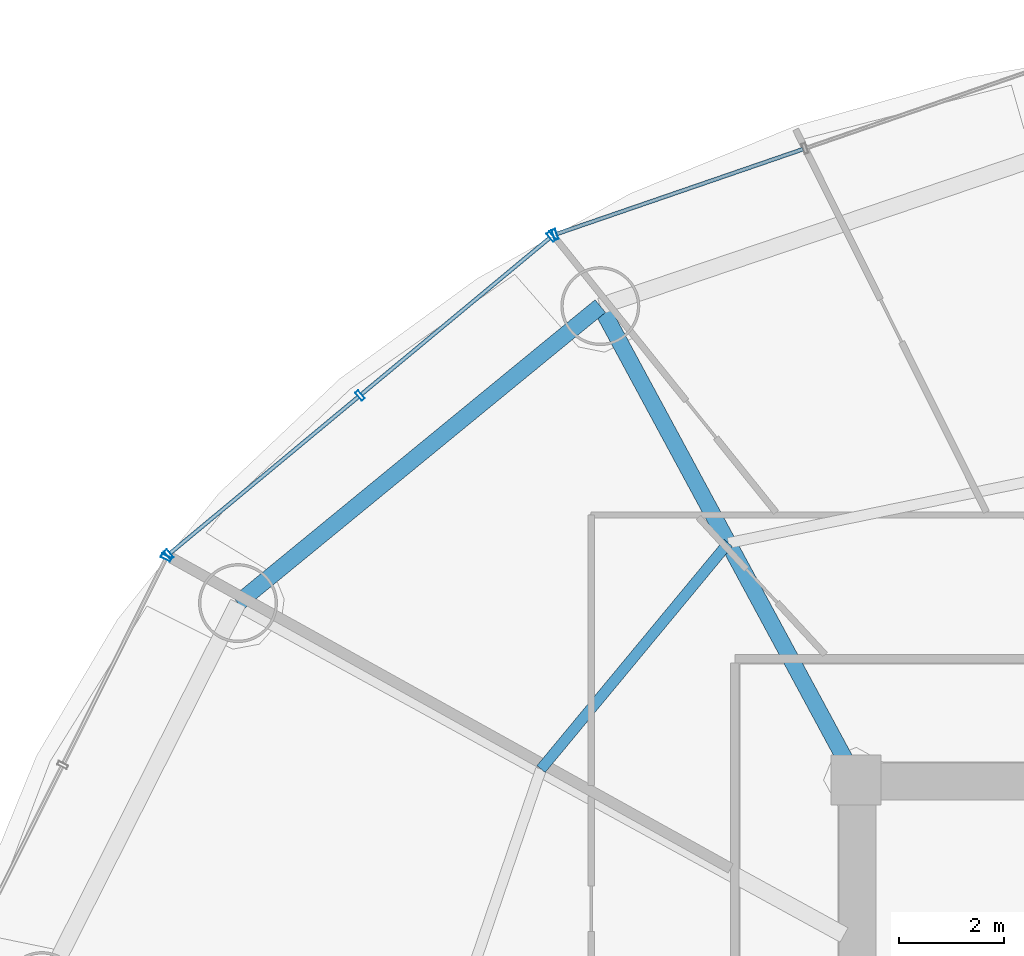
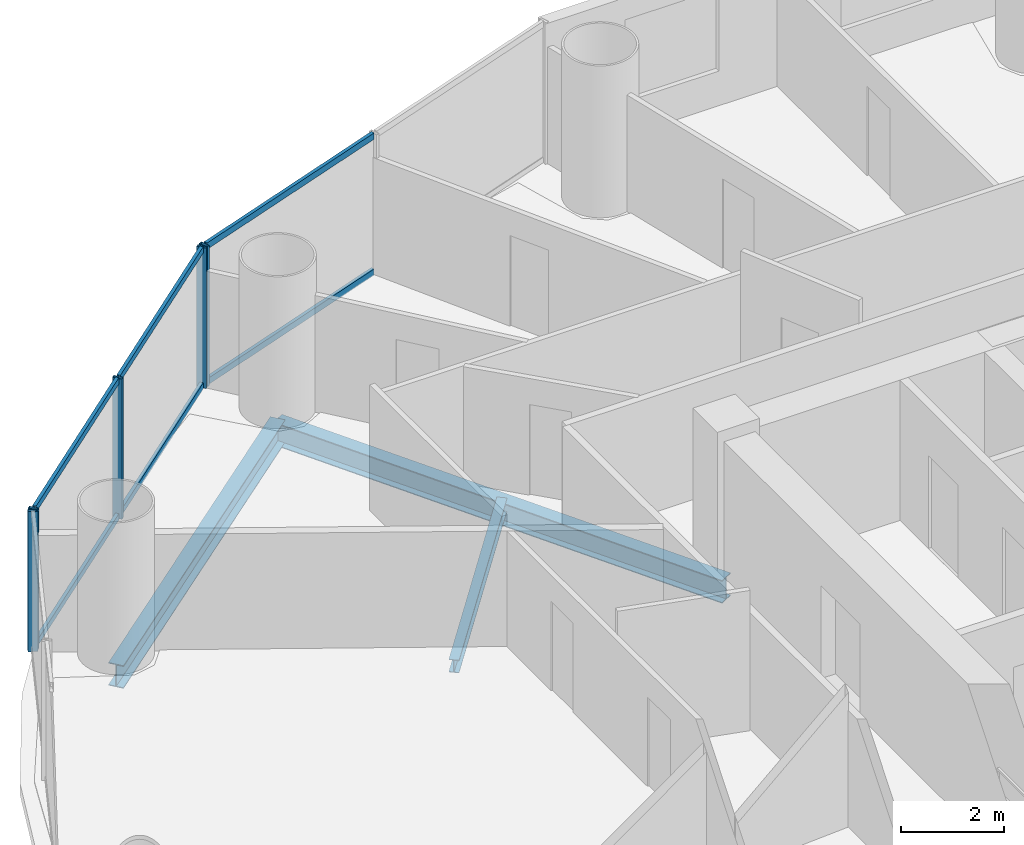
# One storey, part 16 of 29: 11 members, 3 beams, 3 elements without a shape of their own.
"""IFC4 building model written with IfcOpenShell, lengths in metres."""

from ifc_helpers import new_model, si_unit, direction, frame, origin, origin_2d, place, context, subcontext, project, spatial, hollow_rectangle, i_section, extrude, source, transform, mapped, material, material_profile, profile_set, type_object, element, aggregate, save


model = new_model("IFC4")

# Units and contexts
model_context = context("Model", 3, precision=1e-05, world=origin(), true_north=direction((-0.2419218956, 0.970295726276)))
body_context = subcontext(model_context, "Body", "Model", "MODEL_VIEW")
ifc_project = project(units=[si_unit("LENGTHUNIT", "METRE"), si_unit("AREAUNIT", "SQUARE_METRE"), si_unit("VOLUMEUNIT", "CUBIC_METRE"), si_unit("PLANEANGLEUNIT", "RADIAN"), si_unit("MASSUNIT", "GRAM", prefix="KILO")], contexts=[model_context])

# Site, building, storey
site_placement = place(None, origin())
site = spatial("IfcSite", under=ifc_project, at=site_placement, CompositionType="ELEMENT")
building_placement = place(site_placement, origin())
building = spatial("IfcBuilding", under=site, at=building_placement, Name="Cobrevalo Terracotta Tower", CompositionType="ELEMENT")
storey_placement = place(building_placement, frame((0.0, 0.0, 97.800048828125)))
storey = spatial("IfcBuildingStorey", under=building, at=storey_placement, Name="L25", CompositionType="ELEMENT", Elevation=97.800048828125)

# Beams
ifc_material_1 = material(Name="Steel S355", Category="steel")
ifc_material_profile_1 = material_profile(ifc_material_1, i_section(OverallWidth=0.31201171875, OverallDepth=0.54296875, WebThickness=0.0126953125, FlangeThickness=0.020263671875, at=origin_2d()), Name="W 530x150")
ifc_profile_set_1 = profile_set([ifc_material_profile_1], Name="Steel S355")
beam_type_1 = type_object("IfcBeamType", Name="Structural Beam W 530x150 (Steel S355)", PredefinedType="BEAM", material=ifc_profile_set_1)
beam_1_placement = place(storey_placement, frame((24.138427734375, 43.803466796875, -0.546630859375), z_axis=(0.475128224431, -0.879916570107, 0.0), x_axis=(0.879916570107, 0.475128224431, 0.0)))
element("IfcBeam", 1, at=beam_1_placement, inside=storey, type_object=beam_type_1, Name="L25 radial floor girder 06", PredefinedType="BEAM", context=body_context, shape_type="SweptSolid", body=[
    extrude(i_section(OverallWidth=0.31201171875, OverallDepth=0.54296875, WebThickness=0.0126953125, FlangeThickness=0.020263671875, at=origin_2d()), origin(), (0.0, 0.0, 1.0), 10.232177734375),
])
ifc_material_profile_2 = material_profile(ifc_material_1, i_section(OverallWidth=0.2041015625, OverallDepth=0.305908203125, WebThickness=0.008544921875, FlangeThickness=0.0146484375, at=origin_2d()), Name="W 310x67")
ifc_profile_set_2 = profile_set([ifc_material_profile_2], Name="Steel S355")
beam_type_2 = type_object("IfcBeamType", Name="Structural Joist W 310x67 (Steel S355)", PredefinedType="JOIST", material=ifc_profile_set_2)
beam_2_placement = place(storey_placement, frame((26.5693359375, 39.3017578125, -0.427978515625), z_axis=(-0.6379592588, -0.77007011636, 0.0), x_axis=(0.77007011636, -0.6379592588, 0.0)))
element("IfcBeam", 2, at=beam_2_placement, inside=storey, type_object=beam_type_2, Name="L25 circumferential secondary floor joist 06", PredefinedType="JOIST", context=body_context, shape_type="SweptSolid", body=[
    extrude(i_section(OverallWidth=0.2041015625, OverallDepth=0.305908203125, WebThickness=0.008544921875, FlangeThickness=0.0146484375, at=origin_2d()), origin(), (0.0, 0.0, 1.0), 5.575439453125),
])
ifc_material_profile_3 = material_profile(ifc_material_1, i_section(OverallWidth=0.31201171875, OverallDepth=0.54296875, WebThickness=0.0126953125, FlangeThickness=0.020263671875, at=origin_2d()), Name="W 530x150")
ifc_profile_set_3 = profile_set([ifc_material_profile_3], Name="Steel S355")
beam_type_3 = type_object("IfcBeamType", Name="Structural Spandrel W 530x150 (Steel S355)", PredefinedType="SPANDREL", material=ifc_profile_set_3)
beam_3_placement = place(storey_placement, frame((24.138427734375, 43.803466796875, -0.546630859375), z_axis=(-0.773400923541, -0.633917196064, 0.0), x_axis=(0.633917196064, -0.773400923541, 0.0)))
element("IfcBeam", 3, at=beam_3_placement, inside=storey, type_object=beam_type_3, Name="L25 perimeter ring spandrel 06", PredefinedType="SPANDREL", context=body_context, shape_type="SweptSolid", body=[
    extrude(i_section(OverallWidth=0.31201171875, OverallDepth=0.54296875, WebThickness=0.0126953125, FlangeThickness=0.020263671875, at=origin_2d()), origin(), (0.0, 0.0, 1.0), 8.900390625),
])

# Curtain wall, member
ifc_material_2 = material(Name="Anodized aluminium", Category="aluminium")
curtain_wall_type = type_object("IfcCurtainWallType", Name="Lower-tower unitised acoustic low-E curtain wall CW-U1", PredefinedType="NOTDEFINED", material=ifc_material_2)
curtain_wall_1_placement = place(storey_placement, origin())
curtain_wall_1 = element("IfcCurtainWall", 4, at=curtain_wall_1_placement, inside=storey, type_object=curtain_wall_type, Name="L25 curtain wall CW-L25-S05", PredefinedType="NOTDEFINED")
ifc_material_profile_4 = material_profile(ifc_material_2, hollow_rectangle(XDim=0.074951171875, YDim=0.199951171875, WallThickness=0.0048828125, at=origin_2d()), Name="CWM 75x200")
ifc_profile_set_4 = profile_set([ifc_material_profile_4], Name="Anodized aluminium")
member_type_1 = type_object("IfcMemberType", Name="Lower/mid tower unitised mullion 75x200", PredefinedType="MULLION", material=ifc_profile_set_4)
shared_shape_1 = source(origin(), body_context, "Body", "SweptSolid", [
    extrude(hollow_rectangle(XDim=0.074951171875, YDim=0.199951171875, WallThickness=0.0048828125, at=origin_2d()), origin(), (0.0, 0.0, 1.0), 3.324951171875),
])
member_1_placement = place(storey_placement, frame((23.2763671875, 45.16357421875, 0.0), z_axis=(0.0, 0.0, 1.0), x_axis=(-0.94559809868, -0.325337110968, 0.0)))
member_1 = element("IfcMember", 5, at=member_1_placement, type_object=member_type_1, Name="CW-L25-S05 vertical mullion 03", PredefinedType="MULLION", context=body_context, shape_type="MappedRepresentation", body=[
    mapped(shared_shape_1, transform((0.0, 0.0, 0.0), scale=1.0)),
])

# Curtain wall, members
curtain_wall_2_placement = place(storey_placement, origin())
curtain_wall_2 = element("IfcCurtainWall", 6, at=curtain_wall_2_placement, inside=storey, type_object=curtain_wall_type, Name="L25 curtain wall CW-L25-S06", PredefinedType="NOTDEFINED")
member_2_placement = place(storey_placement, frame((23.207763671875, 45.125, 0.0), z_axis=(0.0, 0.0, 1.0), x_axis=(-0.769243451658, -0.638955798222, 0.0)))
member_2 = element("IfcMember", 7, at=member_2_placement, type_object=member_type_1, Name="CW-L25-S06 vertical mullion 01", PredefinedType="MULLION", context=body_context, shape_type="MappedRepresentation", body=[
    mapped(shared_shape_1, transform((0.0, 0.0, 0.0), scale=1.0)),
])
member_3_placement = place(storey_placement, frame((19.5732421875, 42.10595703125, 0.0), z_axis=(0.0, 0.0, 1.0), x_axis=(-0.769243451658, -0.638955798222, 0.0)))
member_3 = element("IfcMember", 8, at=member_3_placement, type_object=member_type_1, Name="CW-L25-S06 vertical mullion 02", PredefinedType="MULLION", context=body_context, shape_type="MappedRepresentation", body=[
    mapped(shared_shape_1, transform((0.0, 0.0, 0.0), scale=1.0)),
])
member_4_placement = place(storey_placement, frame((15.938720703125, 39.0869140625, 0.0), z_axis=(0.0, 0.0, 1.0), x_axis=(-0.769243451658, -0.638955798222, 0.0)))
member_4 = element("IfcMember", 9, at=member_4_placement, type_object=member_type_1, Name="CW-L25-S06 vertical mullion 03", PredefinedType="MULLION", context=body_context, shape_type="MappedRepresentation", body=[
    mapped(shared_shape_1, transform((0.0, 0.0, 0.0), scale=1.0)),
])

# Curtain wall, member
curtain_wall_3_placement = place(storey_placement, origin())
curtain_wall_3 = element("IfcCurtainWall", 10, at=curtain_wall_3_placement, inside=storey, type_object=curtain_wall_type, Name="L25 curtain wall CW-L25-S07", PredefinedType="NOTDEFINED")
member_5_placement = place(storey_placement, frame((15.889892578125, 39.025634765625, 0.0), z_axis=(0.0, 0.0, 1.0), x_axis=(-0.446260290227, -0.894903208937, 0.0)))
member_5 = element("IfcMember", 11, at=member_5_placement, type_object=member_type_1, Name="CW-L25-S07 vertical mullion 01", PredefinedType="MULLION", context=body_context, shape_type="MappedRepresentation", body=[
    mapped(shared_shape_1, transform((0.0, 0.0, 0.0), scale=1.0)),
])
aggregate(curtain_wall_3, [member_5])

# Member
ifc_material_profile_5 = material_profile(ifc_material_2, hollow_rectangle(XDim=0.074951171875, YDim=0.14990234375, WallThickness=0.00439453125, at=origin_2d()), Name="CWT 75x150")
ifc_profile_set_5 = profile_set([ifc_material_profile_5], Name="Anodized aluminium")
member_type_2 = type_object("IfcMemberType", Name="Tower unitised aluminium transom 75x150", PredefinedType="USERDEFINED", material=ifc_profile_set_5)
shared_shape_2 = source(origin(), body_context, "Body", "SweptSolid", [
    extrude(hollow_rectangle(XDim=0.074951171875, YDim=0.14990234375, WallThickness=0.00439453125, at=origin_2d()), origin(), (0.0, 0.0, 1.0), 4.944580078125),
])
member_6_placement = place(storey_placement, frame((27.98974609375, 46.78515625, 0.050048828125), z_axis=(-0.945597859971, -0.32533780478, 0.0), x_axis=(0.32533780478, -0.945597859971, 0.0)))
member_6 = element("IfcMember", 12, at=member_6_placement, type_object=member_type_2, Name="CW-L25-S05 transom B02-T1", ObjectType="TRANSOM", PredefinedType="USERDEFINED", context=body_context, shape_type="MappedRepresentation", body=[
    mapped(shared_shape_2, transform((0.0, 0.0, 0.0), scale=1.0)),
])

member_7_placement = place(storey_placement, frame((27.98974609375, 46.78515625, 3.27490234375), z_axis=(-0.945597859971, -0.32533780478, 0.0), x_axis=(0.32533780478, -0.945597859971, 0.0)))
member_7 = element("IfcMember", 13, at=member_7_placement, type_object=member_type_2, Name="CW-L25-S05 transom B02-T2", ObjectType="TRANSOM", PredefinedType="USERDEFINED", context=body_context, shape_type="MappedRepresentation", body=[
    mapped(shared_shape_2, transform((0.0, 0.0, 0.0), scale=1.0)),
])

aggregate(curtain_wall_1, [member_1, member_6, member_7])

shared_shape_3 = source(origin(), body_context, "Body", "SweptSolid", [
    extrude(hollow_rectangle(XDim=0.074951171875, YDim=0.14990234375, WallThickness=0.00439453125, at=origin_2d()), origin(), (0.0, 0.0, 1.0), 4.644775390625),
])
member_8_placement = place(storey_placement, frame((23.177001953125, 45.099365234375, 0.050048828125), z_axis=(-0.76924999091, -0.638947925487, 0.0), x_axis=(0.638947925487, -0.76924999091, 0.0)))
member_8 = element("IfcMember", 14, at=member_8_placement, type_object=member_type_2, Name="CW-L25-S06 transom B01-T1", ObjectType="TRANSOM", PredefinedType="USERDEFINED", context=body_context, shape_type="MappedRepresentation", body=[
    mapped(shared_shape_3, transform((0.0, 0.0, 0.0), scale=1.0)),
])

member_9_placement = place(storey_placement, frame((23.177001953125, 45.099365234375, 3.27490234375), z_axis=(-0.76924999091, -0.638947925487, 0.0), x_axis=(0.638947925487, -0.76924999091, 0.0)))
member_9 = element("IfcMember", 15, at=member_9_placement, type_object=member_type_2, Name="CW-L25-S06 transom B01-T2", ObjectType="TRANSOM", PredefinedType="USERDEFINED", context=body_context, shape_type="MappedRepresentation", body=[
    mapped(shared_shape_3, transform((0.0, 0.0, 0.0), scale=1.0)),
])

member_10_placement = place(storey_placement, frame((19.54248046875, 42.080322265625, 0.050048828125), z_axis=(-0.76924999091, -0.638947925487, 0.0), x_axis=(0.638947925487, -0.76924999091, 0.0)))
member_10 = element("IfcMember", 16, at=member_10_placement, type_object=member_type_2, Name="CW-L25-S06 transom B02-T1", ObjectType="TRANSOM", PredefinedType="USERDEFINED", context=body_context, shape_type="MappedRepresentation", body=[
    mapped(shared_shape_3, transform((0.0, 0.0, 0.0), scale=1.0)),
])

member_11_placement = place(storey_placement, frame((19.54248046875, 42.080322265625, 3.27490234375), z_axis=(-0.76924999091, -0.638947925487, 0.0), x_axis=(0.638947925487, -0.76924999091, 0.0)))
member_11 = element("IfcMember", 17, at=member_11_placement, type_object=member_type_2, Name="CW-L25-S06 transom B02-T2", ObjectType="TRANSOM", PredefinedType="USERDEFINED", context=body_context, shape_type="MappedRepresentation", body=[
    mapped(shared_shape_3, transform((0.0, 0.0, 0.0), scale=1.0)),
])

aggregate(curtain_wall_2, [member_2, member_3, member_4, member_8, member_9, member_10, member_11])

save(model, "model.ifc")
